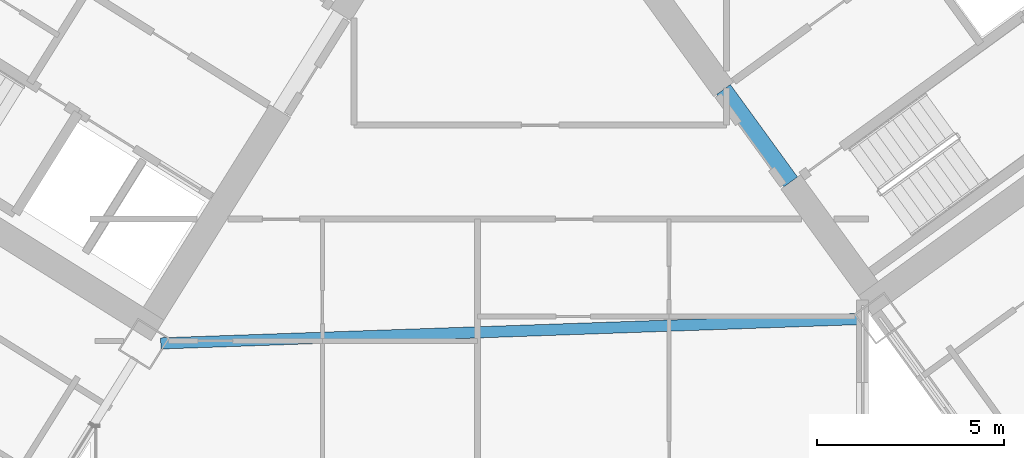
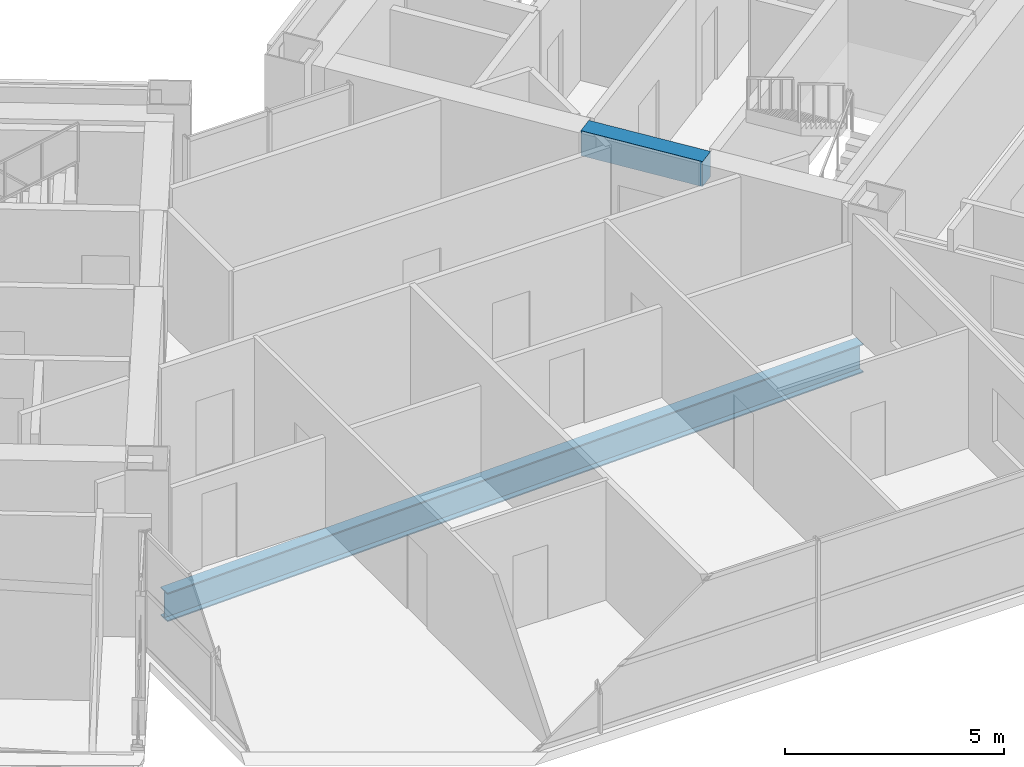
# One storey, part 8 of 28: 2 beams.
"""IFC4 building model written with IfcOpenShell, lengths in metres."""

from ifc_helpers import new_model, si_unit, direction, frame, origin, origin_2d, place, context, subcontext, project, spatial, rectangle, i_section, extrude, source, transform, mapped, material, material_profile, profile_set, type_object, element, save


model = new_model("IFC4")

# Units and contexts
model_context = context("Model", 3, precision=1e-05, world=origin(), true_north=direction((0.0, 1.0)))
body_context = subcontext(model_context, "Body", "Model", "MODEL_VIEW")
ifc_project = project(units=[si_unit("LENGTHUNIT", "METRE"), si_unit("AREAUNIT", "SQUARE_METRE"), si_unit("VOLUMEUNIT", "CUBIC_METRE"), si_unit("PLANEANGLEUNIT", "RADIAN"), si_unit("MASSUNIT", "GRAM", prefix="KILO")], contexts=[model_context])

# Site, building, storey
site_placement = place(None, origin())
site = spatial("IfcSite", under=ifc_project, at=site_placement, CompositionType="ELEMENT")
building_placement = place(site_placement, origin())
building = spatial("IfcBuilding", under=site, at=building_placement, Name="Tlacorven Tower", CompositionType="ELEMENT")
storey_placement = place(building_placement, frame((0.0, 0.0, 34.800048828125)))
storey = spatial("IfcBuildingStorey", under=building, at=storey_placement, Name="L08", CompositionType="ELEMENT", Elevation=34.800048828125)

# Beams
ifc_material_1 = material(Name="Concrete C60/75", Category="concrete")
ifc_material_profile_1 = material_profile(ifc_material_1, rectangle(XDim=0.449951171875, YDim=0.699951171875, at=origin_2d()), Name="RC 450X700")
ifc_profile_set_1 = profile_set([ifc_material_profile_1], Name="Concrete C60/75")
beam_type_1 = type_object("IfcBeamType", Name="BM-LNT-700", PredefinedType="LINTEL", material=ifc_profile_set_1)
shared_shape_1 = source(origin(), body_context, "Body", "SweptSolid", [
    extrude(rectangle(XDim=0.449951171875, YDim=0.699951171875, at=origin_2d()), origin(), (0.0, 0.0, 1.0), 3.050048828125),
])
beam_1_placement = place(storey_placement, frame((50.318359375, 16.416015625, 3.0), z_axis=(-0.587776590479, 0.80902328748, 0.0), x_axis=(-0.80902328748, -0.587776590479, 0.0)))
element("IfcBeam", 1, at=beam_1_placement, inside=storey, type_object=beam_type_1, Name="L08 E core coupling lintel beam E1", PredefinedType="LINTEL", context=body_context, shape_type="MappedRepresentation", body=[
    mapped(shared_shape_1, transform((0.0, 0.0, 0.0), scale=1.0)),
])
ifc_material_2 = material(Name="Steel S355J2", Category="steel")
ifc_material_profile_2 = material_profile(ifc_material_2, i_section(OverallWidth=0.300048828125, OverallDepth=0.800048828125, WebThickness=0.017578125, FlangeThickness=0.032958984375, at=origin_2d()), Name="HEB 800")
ifc_profile_set_2 = profile_set([ifc_material_profile_2], Name="Steel S355J2")
beam_type_2 = type_object("IfcBeamType", Name="BM-POD-800", PredefinedType="BEAM", material=ifc_profile_set_2)
shared_shape_2 = source(origin(), body_context, "Body", "SweptSolid", [
    extrude(i_section(OverallWidth=0.300048828125, OverallDepth=0.800048828125, WebThickness=0.017578125, FlangeThickness=0.032958984375, at=origin_2d()), origin(), (0.0, 0.0, 1.0), 18.771240234375),
])
beam_2_placement = place(storey_placement, frame((33.495849609375, 12.1025390625, -0.650146484375), z_axis=(0.999390514848, 0.034908434954, 0.0), x_axis=(-0.034908434954, 0.999390514848, 0.0)))
element("IfcBeam", 2, at=beam_2_placement, inside=storey, type_object=beam_type_2, Name="L08 Knuckle Link Girder 2", PredefinedType="BEAM", context=body_context, shape_type="MappedRepresentation", body=[
    mapped(shared_shape_2, transform((0.0, 0.0, 0.0), scale=1.0)),
])

save(model, "model.ifc")
